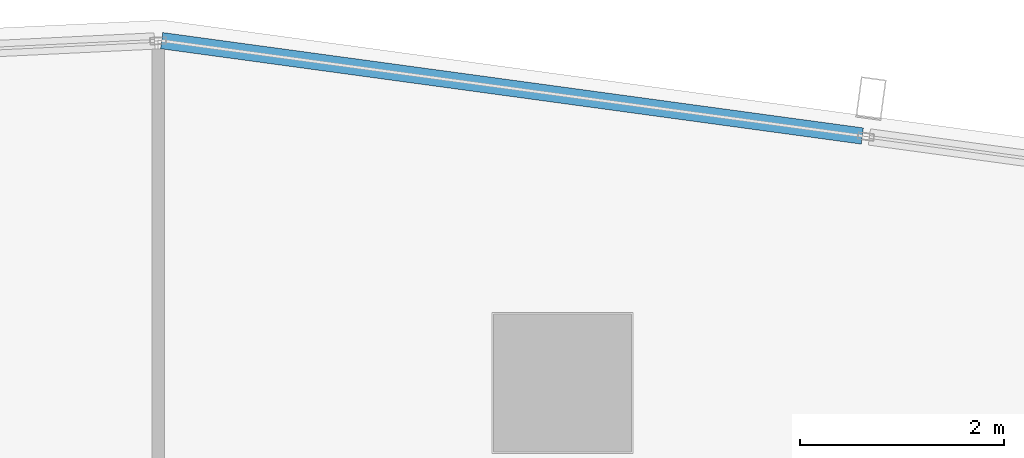
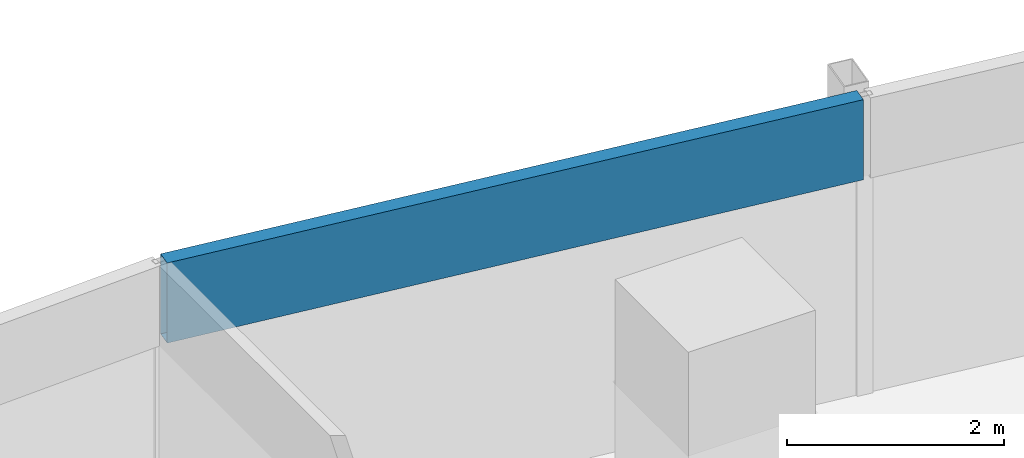
# One storey, part 22 of 40: 1 member, 1 element without a shape of its own.
"""IFC4 building model written with IfcOpenShell, lengths in metres."""

from ifc_helpers import new_model, si_unit, direction, frame, origin, origin_2d, place, context, subcontext, project, spatial, hollow_rectangle, extrude, material, material_profile, profile_set, type_object, element, aggregate, save


model = new_model("IFC4")

# Units and contexts
model_context = context("Model", 3, precision=1e-05, world=origin(), true_north=direction((0.0, 1.0)))
body_context = subcontext(model_context, "Body", "Model", "MODEL_VIEW")
ifc_project = project(units=[si_unit("LENGTHUNIT", "METRE"), si_unit("AREAUNIT", "SQUARE_METRE"), si_unit("VOLUMEUNIT", "CUBIC_METRE"), si_unit("PLANEANGLEUNIT", "RADIAN"), si_unit("MASSUNIT", "GRAM", prefix="KILO")], contexts=[model_context])

# Site, building, storey
site_placement = place(None, origin())
site = spatial("IfcSite", under=ifc_project, at=site_placement, CompositionType="ELEMENT")
building_placement = place(site_placement, origin())
building = spatial("IfcBuilding", under=site, at=building_placement, Name="Rekha Terrace Tower", CompositionType="ELEMENT")
storey_placement = place(building_placement, frame((0.0, 0.0, 210.199951171875)))
storey = spatial("IfcBuildingStorey", under=building, at=storey_placement, Name="L53", CompositionType="ELEMENT", Elevation=210.199951171875)

# Curtain wall, member
ifc_material_1 = material(Name="Aluminium framing", Category="aluminium")
curtain_wall_type = type_object("IfcCurtainWallType", Name="CW3 north unitised glazing", PredefinedType="USERDEFINED", material=ifc_material_1)
curtain_wall_placement = place(storey_placement, origin())
curtain_wall = element("IfcCurtainWall", 1, at=curtain_wall_placement, inside=storey, type_object=curtain_wall_type, Name="CW3 unitised curtain wall", ObjectType="UNITISED CURTAIN WALL", PredefinedType="USERDEFINED")
ifc_material_2 = material(Name="Insulated aluminium spandrel box", Category="aluminium")
ifc_material_profile = material_profile(ifc_material_2, hollow_rectangle(XDim=0.159912109375, YDim=0.89990234375, WallThickness=0.0029296875, at=origin_2d()), Name="AL SPANDREL BOX 160x900")
ifc_profile_set = profile_set([ifc_material_profile], Name="Insulated aluminium spandrel box")
member_type = type_object("IfcMemberType", Name="CW3 spandrel transom 160 x 900", PredefinedType="USERDEFINED", material=ifc_profile_set)
member_placement = place(storey_placement, frame((53.334716796875, 61.21630859375, 3.050048828125), z_axis=(-0.990863635349, 0.134867550367, 0.0), x_axis=(-0.134867550367, -0.990863635349, 0.0)))
member = element("IfcMember", 2, at=member_placement, type_object=member_type, Name="CW3 spandrel transom 2", ObjectType="TRANSOM", PredefinedType="USERDEFINED", context=body_context, shape_type="SweptSolid", body=[
    extrude(hollow_rectangle(XDim=0.159912109375, YDim=0.89990234375, WallThickness=0.0029296875, at=origin_2d()), origin(), (0.0, 0.0, 1.0), 6.918701171875),
])
aggregate(curtain_wall, [member])

save(model, "model.ifc")
